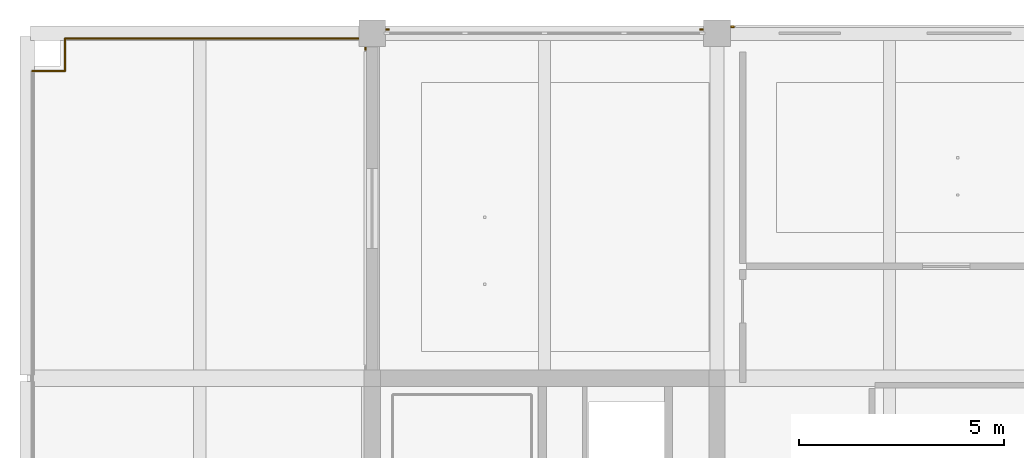
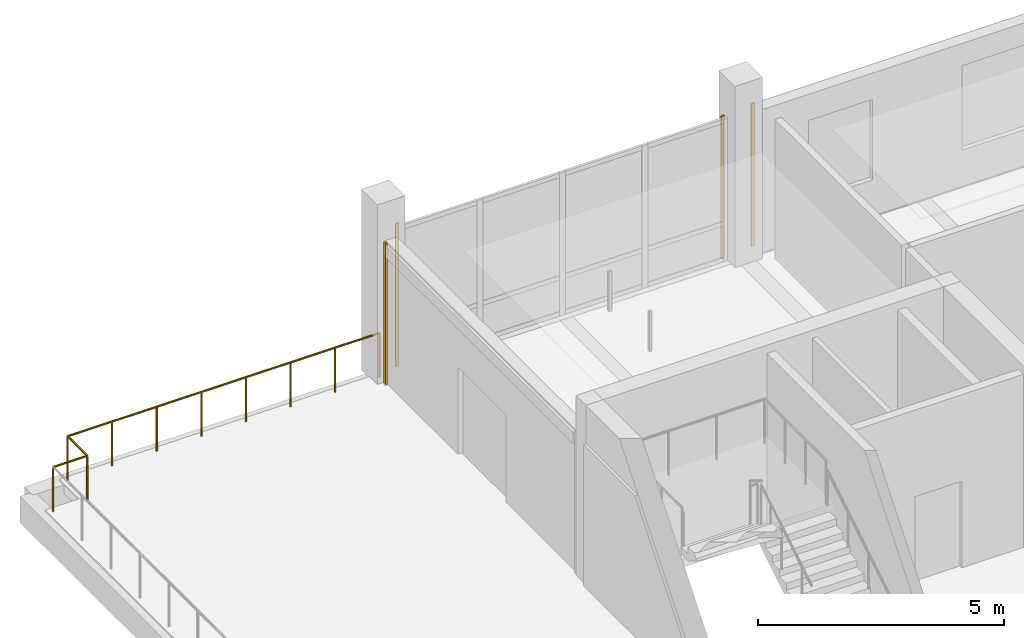
# One storey, part 26 of 28: 4 coverings, 1 railing.
"""IFC4 building model written with IfcOpenShell, lengths in metres."""

from ifc_helpers import new_model, si_unit, direction, frame, origin, origin_2d, place, context, subcontext, project, spatial, rectangle, circle, extrude, material, layer, layer_set, type_object, element, save


model = new_model("IFC4")

# Units and contexts
model_context = context("Model", 3, precision=1e-05, world=origin(), true_north=direction((0.0, 1.0)))
body_context = subcontext(model_context, "Body", "Model", "MODEL_VIEW")
ifc_project = project(units=[si_unit("LENGTHUNIT", "METRE"), si_unit("AREAUNIT", "SQUARE_METRE"), si_unit("VOLUMEUNIT", "CUBIC_METRE"), si_unit("PLANEANGLEUNIT", "RADIAN"), si_unit("MASSUNIT", "GRAM", prefix="KILO")], contexts=[model_context])

# Site, building, storey
site_placement = place(None, origin())
site = spatial("IfcSite", under=ifc_project, at=site_placement, CompositionType="ELEMENT")
building_placement = place(site_placement, origin())
building = spatial("IfcBuilding", under=site, at=building_placement, Name="Telukmera Botanical Conservatory", CompositionType="ELEMENT")
storey_placement = place(building_placement, frame((0.0, 0.0, 51.0)))
storey = spatial("IfcBuildingStorey", under=building, at=storey_placement, Name="L11", CompositionType="ELEMENT", Elevation=51.0)

# Railing
ifc_material_1 = material(Name="Brushed stainless steel grade 316", Category="steel")
railing_type = type_object("IfcRailingType", Name="Exterior Terrace Safety Guardrail 1100", PredefinedType="GUARDRAIL", material=ifc_material_1)
railing_placement = place(storey_placement, frame((50.52001953125, 41.8798828125, 0.0400390625)))
element("IfcRailing", 1, at=railing_placement, inside=storey, type_object=railing_type, Name="Tower Sky Terrace Guardrail L11 N", PredefinedType="GUARDRAIL", context=body_context, shape_type="SweptSolid", body=[
    extrude(circle(Radius=0.02392578125, at=origin_2d()), frame((0.0, 0.0, 1.09619140625), z_axis=(1.0, 0.0, 0.0), x_axis=(0.0, 1.0, 0.0)), (0.0, 0.0, 1.0), 0.800048828125),
    extrude(circle(Radius=0.02392578125, at=origin_2d()), frame((0.800048828125, 0.0, 1.09619140625), z_axis=(0.0, 1.0, 0.0), x_axis=(-1.0, 0.0, 0.0)), (0.0, 0.0, 1.0), 0.800048828125),
    extrude(circle(Radius=0.02392578125, at=origin_2d()), frame((0.800048828125, 0.800048828125, 1.09619140625), z_axis=(1.0, 0.0, 0.0), x_axis=(0.0, 1.0, 0.0)), (0.0, 0.0, 1.0), 7.329833984375),
    extrude(circle(Radius=0.02099609375, at=origin_2d()), origin(), (0.0, 0.0, 1.0), 1.072021484375),
    extrude(circle(Radius=0.02099609375, at=origin_2d()), frame((0.800048828125, 0.0, 0.0)), (0.0, 0.0, 1.0), 1.072021484375),
    extrude(circle(Radius=0.02099609375, at=origin_2d()), frame((0.800048828125, 0.800048828125, 0.0)), (0.0, 0.0, 1.0), 1.072021484375),
    extrude(circle(Radius=0.02099609375, at=origin_2d()), frame((1.84716796875, 0.800048828125, 0.0)), (0.0, 0.0, 1.0), 1.072021484375),
    extrude(circle(Radius=0.02099609375, at=origin_2d()), frame((2.894287109375, 0.800048828125, 0.0)), (0.0, 0.0, 1.0), 1.072021484375),
    extrude(circle(Radius=0.02099609375, at=origin_2d()), frame((3.94140625, 0.800048828125, 0.0)), (0.0, 0.0, 1.0), 1.072021484375),
    extrude(circle(Radius=0.02099609375, at=origin_2d()), frame((4.988525390625, 0.800048828125, 0.0)), (0.0, 0.0, 1.0), 1.072021484375),
    extrude(circle(Radius=0.02099609375, at=origin_2d()), frame((6.03564453125, 0.800048828125, 0.0)), (0.0, 0.0, 1.0), 1.072021484375),
    extrude(circle(Radius=0.02099609375, at=origin_2d()), frame((7.082763671875, 0.800048828125, 0.0)), (0.0, 0.0, 1.0), 1.072021484375),
    extrude(circle(Radius=0.02099609375, at=origin_2d()), frame((8.1298828125, 0.800048828125, 0.0)), (0.0, 0.0, 1.0), 1.072021484375),
])

# Coverings
ifc_material_2 = material(Name="Granite-faced precast concrete C40/50", Category="masonry")
ifc_layer = layer(ifc_material_2, 0.0400390625)
ifc_layer_set = layer_set([ifc_layer], Name="Granite-faced precast concrete C40/50")
covering_type = type_object("IfcCoveringType", Name="Granite Precast Column Pier Reveal Casing", PredefinedType="CLADDING", material=ifc_layer_set)
for number, where, z_axis, x_axis, name in (
    (2, (59.177001953125, 42.889892578125, 0.0), (0.0, 0.0, 1.0), (1.0, 0.0, 0.0), "Granite Pier Reveal V4:L11:N1 L"),
    (3, (66.822998046875, 42.889892578125, 0.0), (0.0, 0.0, 1.0), (1.0, 0.0, 0.0), "Granite Pier Reveal V4:L11:N1 R"),
    (4, (67.576904296875, 42.9599609375, 0.0), (0.0, 0.0, 1.0), (1.0, 0.0, 0.0), "Granite Pier Reveal V4:L11:N2 L"),
    (5, (58.639892578125, 42.423095703125, 0.0), (0.0, 0.0, 1.0), (0.0, 1.0, 0.0), "Granite Pier Reveal V4:L11:W4 R"),
):
    element("IfcCovering", number, at=place(storey_placement, frame(where, z_axis=z_axis, x_axis=x_axis)), inside=storey, type_object=covering_type, Name=name, PredefinedType="CLADDING", context=body_context, shape_type="SweptSolid", body=[
        extrude(rectangle(XDim=0.080078125, YDim=0.0400390625, at=origin_2d()), origin(), (0.0, 0.0, 1.0), 3.550048828125),
    ])

save(model, "model.ifc")
